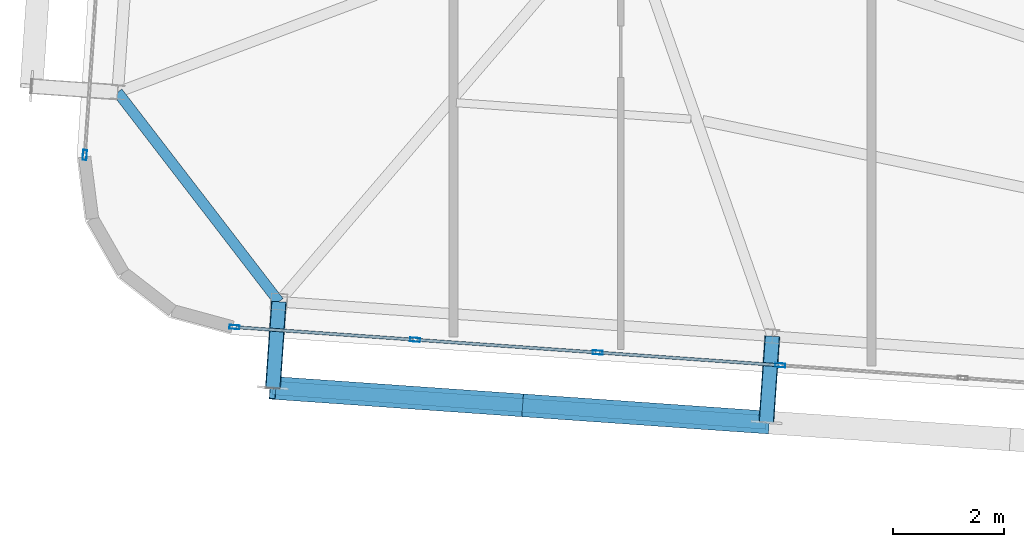
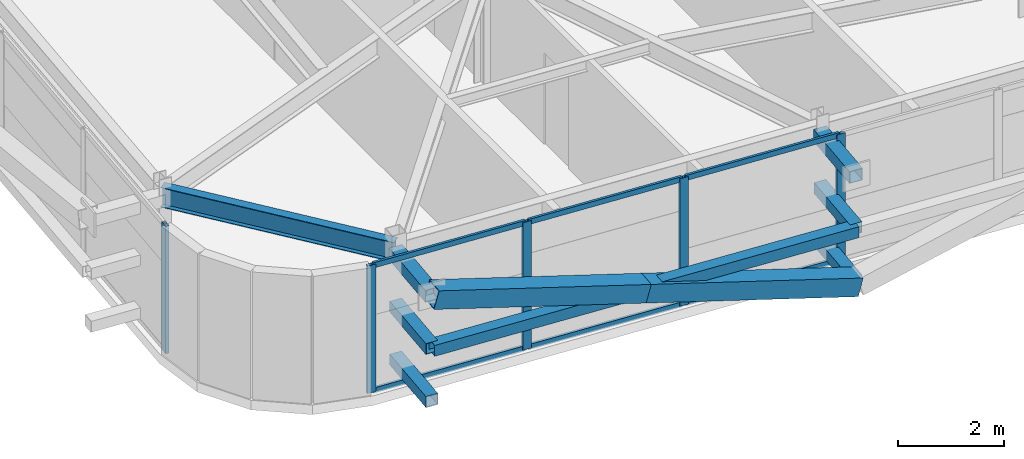
# One storey, part 6 of 47: 20 members, 1 beam, 2 elements without a shape of their own.
"""IFC4 building model written with IfcOpenShell, lengths in metres."""

import ifcopenshell
import ifcopenshell.guid

model = None  # the IFC model being written
_history = None  # IfcOwnerHistory: only IFC2X3 demands one
_inside = {}  # id of a spatial element -> (the spatial element, [elements in it])
_under = {}  # id of a project, library or spatial element -> (it, [spatial elements below it])
_declared = {}  # id of a project -> (the project, [libraries it declares])
_typed = {}  # id of a type object -> (the type object, [elements of that type])
_made_of = {}  # id of a material, layer set ... -> (it, [elements and type objects made of it])


def new_model(schema):
    """Start an empty IFC model of exactly this schema.

    Asked for "IFC4X3", IfcOpenShell would pick the latest addendum, in which some entities
    have other attributes; the version numbers below select the first issue.
    IFC2X3 requires an IfcOwnerHistory on every rooted entity: one is made here for all.
    """
    global model, _history
    if schema == "IFC4X3":
        model = ifcopenshell.file(schema_version=(4, 3, 0, 0))
    else:
        model = ifcopenshell.file(schema=schema)
    _inside.clear()
    _under.clear()
    _declared.clear()
    _typed.clear()
    _made_of.clear()
    _history = None
    if model.schema == "IFC2X3":
        org = make("IfcOrganization", Name="unknown")
        user = make(
            "IfcPersonAndOrganization",
            ThePerson=make("IfcPerson", FamilyName="unknown"),
            TheOrganization=org,
        )
        app = make(
            "IfcApplication",
            ApplicationDeveloper=org,
            Version="unknown",
            ApplicationFullName="unknown",
            ApplicationIdentifier="unknown",
        )
        _history = make(
            "IfcOwnerHistory",
            OwningUser=user,
            OwningApplication=app,
            ChangeAction="ADDED",
            CreationDate=0,
        )
    return model


def make(cls, **values):
    """One entity of the class cls with the attributes given. An attribute that is None is left unset."""
    return model.create_entity(
        cls, **{name: value for name, value in values.items() if value is not None}
    )


def rooted(cls, **values):
    """An entity with a GlobalId (a new one), such as an element, a storey or a relation."""
    return make(cls, GlobalId=ifcopenshell.guid.new(), OwnerHistory=_history, **values)


def si_unit(unit_type, name, prefix=None):
    """IfcSIUnit, for example si_unit("LENGTHUNIT", "METRE", prefix="MILLI")."""
    return make("IfcSIUnit", UnitType=unit_type, Prefix=prefix, Name=name)


def assignment(units):
    """IfcUnitAssignment: the units of a project."""
    return None if units is None else make("IfcUnitAssignment", Units=units)


def point(xyz):
    """IfcCartesianPoint."""
    return None if xyz is None else make("IfcCartesianPoint", Coordinates=xyz)


def direction(xyz):
    """IfcDirection."""
    return None if xyz is None else make("IfcDirection", DirectionRatios=xyz)


def frame(location, z_axis=None, x_axis=None):
    """IfcAxis2Placement3D, a coordinate frame: its origin and axes. An axis left out is left unset."""
    return make(
        "IfcAxis2Placement3D",
        Location=point(location),
        Axis=direction(z_axis),
        RefDirection=direction(x_axis),
    )


def frame_2d(location, x_axis=None):
    """IfcAxis2Placement2D, a coordinate frame in the plane: its origin and x axis."""
    return make(
        "IfcAxis2Placement2D", Location=point(location), RefDirection=direction(x_axis)
    )


def origin():
    """The frame at (0, 0, 0) with its axes left unset."""
    return frame((0.0, 0.0, 0.0))


def origin_2d():
    """The frame at (0, 0) in the plane with its x axis left unset."""
    return frame_2d((0.0, 0.0))


def place(relative_to, where):
    """IfcLocalPlacement: puts the frame where relative to a parent placement (None: the world)."""
    return make(
        "IfcLocalPlacement", PlacementRelTo=relative_to, RelativePlacement=where
    )


def context(
    kind, dimensions, precision=None, world=None, true_north=None, identifier=None
):
    """IfcGeometricRepresentationContext, for example the 3D "Model" context."""
    return make(
        "IfcGeometricRepresentationContext",
        ContextIdentifier=identifier,
        ContextType=kind,
        CoordinateSpaceDimension=dimensions,
        Precision=precision,
        WorldCoordinateSystem=world,
        TrueNorth=true_north,
    )


def subcontext(parent, identifier, kind, view, scale=None):
    """IfcGeometricRepresentationSubContext, for example "Body" below "Model"."""
    return make(
        "IfcGeometricRepresentationSubContext",
        ContextIdentifier=identifier,
        ContextType=kind,
        ParentContext=parent,
        TargetScale=scale,
        TargetView=view,
    )


def project(units=None, contexts=None):
    """IfcProject with its units and contexts."""
    return rooted(
        "IfcProject",
        Name="project",
        RepresentationContexts=contexts,
        UnitsInContext=assignment(units),
    )


def spatial(cls, under=None, at=None, **own):
    """A site, building, storey or space (cls), placed at a placement, below another one or the project."""
    s = rooted(cls, ObjectPlacement=at, **own)
    if under is not None:
        _under.setdefault(under.id(), (under, []))[1].append(s)
    return s


def profile(cls, at=None, kind="AREA", **sizes):
    """A parametric profile (cls). Its sizes go by their IFC names, for example OverallWidth=200.0."""
    return make(cls, ProfileType=kind, Position=at, **sizes)


def hollow_rectangle(**sizes):
    """IfcRectangleHollowProfileDef."""
    return profile("IfcRectangleHollowProfileDef", **sizes)


def i_section(**sizes):
    """IfcIShapeProfileDef."""
    return profile("IfcIShapeProfileDef", **sizes)


def extrude(swept, where, along, depth):
    """IfcExtrudedAreaSolid: the profile swept, set in the frame where, extruded along a direction by depth."""
    return make(
        "IfcExtrudedAreaSolid",
        SweptArea=swept,
        Position=where,
        ExtrudedDirection=direction(along),
        Depth=depth,
    )


def shape(context_of_items, identifier, shape_type, items):
    """IfcShapeRepresentation: the items that make up one representation, for example the "Body"."""
    return make(
        "IfcShapeRepresentation",
        ContextOfItems=context_of_items,
        RepresentationIdentifier=identifier,
        RepresentationType=shape_type,
        Items=items,
    )


def source(mapping_origin, context_of_items, identifier, shape_type, items):
    """IfcRepresentationMap: a shape defined once, which mapped items show again and again."""
    return make(
        "IfcRepresentationMap",
        MappingOrigin=mapping_origin,
        MappedRepresentation=shape(context_of_items, identifier, shape_type, items),
    )


def transform(
    local_origin,
    x_axis=None,
    y_axis=None,
    z_axis=None,
    scale=None,
    scale2=None,
    scale3=None,
    uniform=True,
):
    """IfcCartesianTransformationOperator3D, or its non-uniform kind. x_axis, y_axis, z_axis: its Axis1, 2, 3."""
    if uniform:
        return make(
            "IfcCartesianTransformationOperator3D",
            Axis1=direction(x_axis),
            Axis2=direction(y_axis),
            LocalOrigin=point(local_origin),
            Scale=scale,
            Axis3=direction(z_axis),
        )
    return make(
        "IfcCartesianTransformationOperator3DnonUniform",
        Axis1=direction(x_axis),
        Axis2=direction(y_axis),
        LocalOrigin=point(local_origin),
        Scale=scale,
        Axis3=direction(z_axis),
        Scale2=scale2,
        Scale3=scale3,
    )


def mapped(mapping_source, mapping_target):
    """IfcMappedItem: shows the shape of a source again, moved by a transform."""
    return make(
        "IfcMappedItem", MappingSource=mapping_source, MappingTarget=mapping_target
    )


def material(Name=None, Category=None):
    """IfcMaterial."""
    return make("IfcMaterial", Name=Name, Category=Category)


def layer(
    of_material, thickness, ventilated=None, Name=None, Category=None, Priority=None
):
    """IfcMaterialLayer: one layer of a wall or slab, of a material (None: an air gap)."""
    return make(
        "IfcMaterialLayer",
        Material=of_material,
        LayerThickness=thickness,
        IsVentilated=ventilated,
        Name=Name,
        Category=Category,
        Priority=Priority,
    )


def layer_set(layers, Name=None):
    """IfcMaterialLayerSet."""
    return make("IfcMaterialLayerSet", MaterialLayers=layers, LayerSetName=Name)


def material_profile(
    of_material, cross_section, Name=None, Category=None, Priority=None
):
    """IfcMaterialProfile: a cross section and its material."""
    return make(
        "IfcMaterialProfile",
        Name=Name,
        Material=of_material,
        Profile=cross_section,
        Priority=Priority,
        Category=Category,
    )


def profile_set(profiles, Name=None, composite=None):
    """IfcMaterialProfileSet."""
    return make(
        "IfcMaterialProfileSet",
        Name=Name,
        MaterialProfiles=profiles,
        CompositeProfile=composite,
    )


def made_of(thing, what):
    """Note that an element or type object is made of a material, layer set ...; save() writes the relation."""
    if what is not None:
        _made_of.setdefault(what.id(), (what, []))[1].append(thing)
    return thing


def type_object(cls, material=None, **own):
    """A type object (cls), such as IfcWallType, which elements share."""
    return made_of(rooted(cls, **own), material)


def element(
    cls,
    number,
    at=None,
    inside=None,
    cuts=None,
    type_object=None,
    material=None,
    context=None,
    identifier="Body",
    shape_type=None,
    held_by="IfcProductDefinitionShape",
    body=None,
    shapes=None,
    **own,
):
    """One element of the class cls, such as IfcWall. Its Tag is "e" and its number.

    at: its placement. inside: the storey or other place that contains it. cuts: it is an
    opening in that element (IfcRelVoidsElement). A single representation is given by context,
    identifier, shape_type and body (its items); several are given by shapes. held_by: the class
    of the entity that holds the representations. save() writes the other relations.
    """
    e = rooted(cls, Tag="e%d" % number, ObjectPlacement=at, **own)
    if body is not None:
        shapes = [shape(context, identifier, shape_type, body)]
    if shapes is not None:
        e.Representation = make(held_by, Representations=shapes)
    if inside is not None:
        _inside.setdefault(inside.id(), (inside, []))[1].append(e)
    if cuts is not None:
        rooted(
            "IfcRelVoidsElement", RelatingBuildingElement=cuts, RelatedOpeningElement=e
        )
    if type_object is not None:
        _typed.setdefault(type_object.id(), (type_object, []))[1].append(e)
    return made_of(e, material)


def aggregate(whole, parts):
    """IfcRelAggregates: a whole, such as a stair, and the parts it consists of."""
    return rooted("IfcRelAggregates", RelatingObject=whole, RelatedObjects=parts)


def save(model, path):
    """Write the relations noted so far, then the file.

    IfcRelAggregates (storeys below a building ...), IfcRelContainedInSpatialStructure (elements
    in a storey), IfcRelDefinesByType, IfcRelAssociatesMaterial and IfcRelDeclares: one each for
    every whole, place, type object, material and project.
    """
    for whole, parts in _under.values():
        aggregate(whole, parts)
    for where, things in _inside.values():
        rooted(
            "IfcRelContainedInSpatialStructure",
            RelatedElements=things,
            RelatingStructure=where,
        )
    for kind, things in _typed.values():
        rooted("IfcRelDefinesByType", RelatedObjects=things, RelatingType=kind)
    for what, things in _made_of.values():
        rooted("IfcRelAssociatesMaterial", RelatedObjects=things, RelatingMaterial=what)
    for by, libraries in _declared.values():
        rooted("IfcRelDeclares", RelatingContext=by, RelatedDefinitions=libraries)
    model.write(path)


model = new_model("IFC4")

# Units and contexts
model_context = context("Model", 3, precision=1e-05, world=origin(), true_north=direction((0.0, 1.0)))
body_context = subcontext(model_context, "Body", "Model", "MODEL_VIEW")
ifc_project = project(units=[si_unit("LENGTHUNIT", "METRE"), si_unit("AREAUNIT", "SQUARE_METRE"), si_unit("VOLUMEUNIT", "CUBIC_METRE"), si_unit("PLANEANGLEUNIT", "RADIAN"), si_unit("MASSUNIT", "GRAM", prefix="KILO")], contexts=[model_context])

# Site, building, storey
site_placement = place(None, origin())
site = spatial("IfcSite", under=ifc_project, at=site_placement, CompositionType="ELEMENT")
building_placement = place(site_placement, origin())
building = spatial("IfcBuilding", under=site, at=building_placement, Name="Taldren Reach Tower", CompositionType="ELEMENT")
storey_placement = place(building_placement, frame((0.0, 0.0, 142.449951171875)))
storey = spatial("IfcBuildingStorey", under=building, at=storey_placement, Name="L43", CompositionType="ELEMENT", Elevation=142.449951171875)

# Members
ifc_material_1 = material(Name="Steel Gr 450 (C450L0)", Category="steel")
ifc_material_profile_1 = material_profile(ifc_material_1, hollow_rectangle(XDim=0.27490234375, YDim=0.27490234375, WallThickness=0.00927734375, at=origin_2d()), Name="275x275x9.3SHS")
ifc_profile_set_1 = profile_set([ifc_material_profile_1], Name="Steel Gr 450 (C450L0)")
member_type_1 = type_object("IfcMemberType", Name="MB-TIE273", PredefinedType="STRUT", material=ifc_profile_set_1)
shared_shape_1 = source(origin(), body_context, "Body", "SweptSolid", [
    extrude(hollow_rectangle(XDim=0.27490234375, YDim=0.27490234375, WallThickness=0.00927734375, at=origin_2d()), origin(), (0.0, 0.0, 1.0), 1.5498046875),
])
for number, where, z_axis, x_axis, name in (
    (1, (11.863525390625, 5.33837890625, 2.650146484375), (-0.069780535098, -0.997562367434, 0.0), (0.997562367434, -0.069780535098, 0.0), "Exoskeleton diaphragm tie strut B3-S1 L43"),
    (2, (20.721923828125, 4.718994140625, 2.650146484375), (-0.069780535098, -0.997562367434, 0.0), (0.997562367434, -0.069780535098, 0.0), "Exoskeleton diaphragm tie strut B3-S2 L43"),
):
    element("IfcMember", number, at=place(storey_placement, frame(where, z_axis=z_axis, x_axis=x_axis)), inside=storey, type_object=member_type_1, Name=name, PredefinedType="STRUT", context=body_context, shape_type="MappedRepresentation", body=[
        mapped(shared_shape_1, transform((0.0, 0.0, 0.0), scale=1.0)),
    ])
ifc_material_2 = material(Name="Steel Gr 350 (C350L0)", Category="steel")
ifc_material_profile_2 = material_profile(ifc_material_2, hollow_rectangle(XDim=0.25, YDim=0.25, WallThickness=0.010009765625, at=origin_2d()), Name="250x250x10.0SHS")
ifc_profile_set_2 = profile_set([ifc_material_profile_2], Name="Steel Gr 350 (C350L0)")
member_type_2 = type_object("IfcMemberType", Name="MB-POST250", PredefinedType="POST", material=ifc_profile_set_2)
shared_shape_2 = source(origin(), body_context, "Body", "SweptSolid", [
    extrude(hollow_rectangle(XDim=0.25, YDim=0.25, WallThickness=0.010009765625, at=origin_2d()), origin(), (0.0, 0.0, 1.0), 1.5498046875),
])
for number, where, z_axis, x_axis, name in (
    (3, (11.863525390625, 5.33837890625, 0.219970703125), (-0.069780535098, -0.997562367434, 0.0), (0.997562367434, -0.069780535098, 0.0), "Exoskeleton base diaphragm tie strut B3-S1 L43"),
    (4, (20.721923828125, 4.718994140625, 0.219970703125), (-0.069780535098, -0.997562367434, 0.0), (0.997562367434, -0.069780535098, 0.0), "Exoskeleton base diaphragm tie strut B3-S2 L43"),
    (5, (11.863525390625, 5.33837890625, 1.43505859375), (-0.069780535098, -0.997562367434, 0.0), (0.997562367434, -0.069780535098, 0.0), "Exoskeleton mid-tier diaphragm tie B3-S1 L43"),
    (6, (20.721923828125, 4.718994140625, 1.43505859375), (-0.069780535098, -0.997562367434, 0.0), (0.997562367434, -0.069780535098, 0.0), "Exoskeleton mid-tier diaphragm tie B3-S2 L43"),
):
    element("IfcMember", number, at=place(storey_placement, frame(where, z_axis=z_axis, x_axis=x_axis)), inside=storey, type_object=member_type_2, Name=name, PredefinedType="POST", context=body_context, shape_type="MappedRepresentation", body=[
        mapped(shared_shape_2, transform((0.0, 0.0, 0.0), scale=1.0)),
    ])

# Beam
ifc_material_3 = material(Name="Steel Gr 350 (350PLUS)", Category="steel")
ifc_material_profile_3 = material_profile(ifc_material_3, i_section(OverallWidth=0.18994140625, OverallDepth=0.4541015625, WebThickness=0.008544921875, FlangeThickness=0.0126953125, at=origin_2d()), Name="460UB67.1")
ifc_profile_set_3 = profile_set([ifc_material_profile_3], Name="Steel Gr 350 (350PLUS)")
beam_type = type_object("IfcBeamType", Name="SP-UB460B", PredefinedType="SPANDREL", material=ifc_profile_set_3)
shared_shape_3 = source(origin(), body_context, "Body", "SweptSolid", [
    extrude(i_section(OverallWidth=0.18994140625, OverallDepth=0.4541015625, WebThickness=0.008544921875, FlangeThickness=0.0126953125, at=origin_2d()), origin(), (0.0, 0.0, 1.0), 4.746337890625),
])
beam_placement = place(storey_placement, frame((8.96875, 9.099609375, 2.703125), z_axis=(0.609912099004, -0.792469072891, 0.0), x_axis=(0.792469072891, 0.609912099004, 0.0)))
element("IfcBeam", 7, at=beam_placement, inside=storey, type_object=beam_type, Name="Perimeter spandrel B3 W1-S1 L43", PredefinedType="SPANDREL", context=body_context, shape_type="MappedRepresentation", body=[
    mapped(shared_shape_3, transform((0.0, 0.0, 0.0), scale=1.0)),
])

# Members
shared_shape_4 = source(origin(), body_context, "Body", "SweptSolid", [
    extrude(hollow_rectangle(XDim=0.25, YDim=0.25, WallThickness=0.010009765625, at=origin_2d()), origin(), (0.0, 0.0, 1.0), 8.880126953125),
])
member_1_placement = place(storey_placement, frame((11.75537109375, 3.792236328125, 1.43505859375), z_axis=(0.997564479639, -0.069750333063, 0.0), x_axis=(0.069750333063, 0.997564479639, 0.0)))
element("IfcMember", 8, at=member_1_placement, inside=storey, type_object=member_type_2, Name="Exoskeleton mid-height ring chord B3-S1 L43", PredefinedType="POST", context=body_context, shape_type="MappedRepresentation", body=[
    mapped(shared_shape_4, transform((0.0, 0.0, 0.0), scale=1.0)),
])
ifc_material_profile_4 = material_profile(ifc_material_1, hollow_rectangle(XDim=0.409912109375, YDim=0.409912109375, WallThickness=0.01611328125, at=origin_2d()), Name="410x410x16.0SHS")
ifc_profile_set_4 = profile_set([ifc_material_profile_4], Name="Steel Gr 450 (C450L0)")
member_type_3 = type_object("IfcMemberType", Name="MB-EXO406", PredefinedType="BRACE", material=ifc_profile_set_4)
shared_shape_5 = source(origin(), body_context, "Body", "SweptSolid", [
    extrude(hollow_rectangle(XDim=0.409912109375, YDim=0.409912109375, WallThickness=0.01611328125, at=origin_2d()), origin(), (0.0, 0.0, 1.0), 4.603271484375),
])
for number, where, z_axis, x_axis, name in (
    (9, (20.61376953125, 3.1728515625, 0.219970703125), (-0.962185784239, 0.067250114343, 0.263962002434), (-0.069722973508, -0.997566392259, 0.0), "Exoskeleton Diagrid Brace B3-S1 L43"),
    (10, (16.1845703125, 3.482421875, 1.43505859375), (-0.962182351074, 0.067302910567, 0.263961060594), (-0.06977769246, -0.997562566276, 0.0), "Exoskeleton Diagrid Brace B3-S1 L43"),
):
    element("IfcMember", number, at=place(storey_placement, frame(where, z_axis=z_axis, x_axis=x_axis)), inside=storey, type_object=member_type_3, Name=name, PredefinedType="BRACE", context=body_context, shape_type="MappedRepresentation", body=[
        mapped(shared_shape_5, transform((0.0, 0.0, 0.0), scale=1.0)),
    ])

# Curtain wall, members
ifc_material_4 = material(Name="Aluminium and Low-E Glass Unitised System", Category="aluminium")
ifc_layer = layer(ifc_material_4, 0.159912109375)
ifc_layer_set = layer_set([ifc_layer], Name="Aluminium and Low-E Glass Unitised System")
curtain_wall_type = type_object("IfcCurtainWallType", Name="CW-SYS-4", PredefinedType="NOTDEFINED", material=ifc_layer_set)
curtain_wall_1_placement = place(storey_placement, origin())
curtain_wall_1 = element("IfcCurtainWall", 11, at=curtain_wall_1_placement, inside=storey, type_object=curtain_wall_type, Name="Unitised curtain wall CW-L43-S", PredefinedType="NOTDEFINED")
ifc_material_5 = material(Name="Anodised Aluminium 6063-T6", Category="aluminium")
ifc_material_profile_5 = material_profile(ifc_material_5, hollow_rectangle(XDim=0.070068359375, YDim=0.179931640625, WallThickness=0.00390625, at=origin_2d()), Name="ALU-180x70x4RHS")
ifc_profile_set_5 = profile_set([ifc_material_profile_5], Name="Anodised Aluminium 6063-T6")
member_type_4 = type_object("IfcMemberType", Name="CW-MUL-180", PredefinedType="MULLION", material=ifc_profile_set_5)
shared_shape_6 = source(origin(), body_context, "Body", "SweptSolid", [
    extrude(hollow_rectangle(XDim=0.070068359375, YDim=0.179931640625, WallThickness=0.00390625, at=origin_2d()), origin(), (0.0, 0.0, 1.0), 2.929931640625),
])
member_2_placement = place(storey_placement, frame((11.06494140625, 4.883056640625, 0.0), z_axis=(0.0, 0.0, 1.0), x_axis=(0.06975651593, 0.99756404731, 0.0)))
member_2 = element("IfcMember", 12, at=member_2_placement, type_object=member_type_4, Name="CW-4 mullion 1", PredefinedType="MULLION", context=body_context, shape_type="MappedRepresentation", body=[
    mapped(shared_shape_6, transform((0.0, 0.0, 0.0), scale=1.0)),
])
member_3_placement = place(storey_placement, frame((14.3076171875, 4.65625, 0.0), z_axis=(0.0, 0.0, 1.0), x_axis=(0.06975651593, 0.99756404731, 0.0)))
member_3 = element("IfcMember", 13, at=member_3_placement, type_object=member_type_4, Name="CW-4 mullion 2", PredefinedType="MULLION", context=body_context, shape_type="MappedRepresentation", body=[
    mapped(shared_shape_6, transform((0.0, 0.0, 0.0), scale=1.0)),
])
member_4_placement = place(storey_placement, frame((17.58544921875, 4.427001953125, 0.0), z_axis=(0.0, 0.0, 1.0), x_axis=(0.06975651593, 0.99756404731, 0.0)))
member_4 = element("IfcMember", 14, at=member_4_placement, type_object=member_type_4, Name="CW-4 mullion 3", PredefinedType="MULLION", context=body_context, shape_type="MappedRepresentation", body=[
    mapped(shared_shape_6, transform((0.0, 0.0, 0.0), scale=1.0)),
])
member_5_placement = place(storey_placement, frame((20.863037109375, 4.19775390625, 0.0), z_axis=(0.0, 0.0, 1.0), x_axis=(0.06975651593, 0.99756404731, 0.0)))
member_5 = element("IfcMember", 15, at=member_5_placement, type_object=member_type_4, Name="CW-4 mullion 4", PredefinedType="MULLION", context=body_context, shape_type="MappedRepresentation", body=[
    mapped(shared_shape_6, transform((0.0, 0.0, 0.0), scale=1.0)),
])

# Curtain wall, member
curtain_wall_2_placement = place(storey_placement, origin())
curtain_wall_2 = element("IfcCurtainWall", 16, at=curtain_wall_2_placement, inside=storey, type_object=curtain_wall_type, Name="Unitised curtain wall CW-L43-W", PredefinedType="NOTDEFINED")
member_6_placement = place(storey_placement, frame((8.37890625, 7.972900390625, 0.0), z_axis=(0.0, 0.0, 1.0), x_axis=(0.997564052812, -0.069756437251, 0.0)))
member_6 = element("IfcMember", 17, at=member_6_placement, type_object=member_type_4, Name="CW-4 mullion 9", PredefinedType="MULLION", context=body_context, shape_type="MappedRepresentation", body=[
    mapped(shared_shape_6, transform((0.0, 0.0, 0.0), scale=1.0)),
])
aggregate(curtain_wall_2, [member_6])

# Member
ifc_material_profile_6 = material_profile(ifc_material_5, hollow_rectangle(XDim=0.054931640625, YDim=0.1201171875, WallThickness=0.0029296875, at=origin_2d()), Name="ALU-120x55x3RHS")
ifc_profile_set_6 = profile_set([ifc_material_profile_6], Name="Anodised Aluminium 6063-T6")
member_type_5 = type_object("IfcMemberType", Name="CW-TRN-135", PredefinedType="USERDEFINED", material=ifc_profile_set_6)
shared_shape_7 = source(origin(), body_context, "Body", "SweptSolid", [
    extrude(hollow_rectangle(XDim=0.054931640625, YDim=0.1201171875, WallThickness=0.0029296875, at=origin_2d()), origin(), (0.0, 0.0, 1.0), 3.1806640625),
])
member_7_placement = place(storey_placement, frame((11.099853515625, 4.880615234375, 0.027587890625), z_axis=(0.997562815426, -0.069774130442, 0.0), x_axis=(0.069774130442, 0.997562815426, 0.0)))
member_7 = element("IfcMember", 18, at=member_7_placement, type_object=member_type_5, Name="CW-4 transom 1.1", ObjectType="TRANSOM", PredefinedType="USERDEFINED", context=body_context, shape_type="MappedRepresentation", body=[
    mapped(shared_shape_7, transform((0.0, 0.0, 0.0), scale=1.0)),
])

member_8_placement = place(storey_placement, frame((11.099853515625, 4.880615234375, 2.902587890625), z_axis=(0.997562815426, -0.069774130442, 0.0), x_axis=(0.069774130442, 0.997562815426, 0.0)))
member_8 = element("IfcMember", 19, at=member_8_placement, type_object=member_type_5, Name="CW-4 transom 1.2", ObjectType="TRANSOM", PredefinedType="USERDEFINED", context=body_context, shape_type="MappedRepresentation", body=[
    mapped(shared_shape_7, transform((0.0, 0.0, 0.0), scale=1.0)),
])

shared_shape_8 = source(origin(), body_context, "Body", "SweptSolid", [
    extrude(hollow_rectangle(XDim=0.054931640625, YDim=0.1201171875, WallThickness=0.0029296875, at=origin_2d()), origin(), (0.0, 0.0, 1.0), 3.2158203125),
])
member_9_placement = place(storey_placement, frame((14.342529296875, 4.65380859375, 0.027587890625), z_axis=(0.997563195991, -0.069768689278, 0.0), x_axis=(0.069768689278, 0.997563195991, 0.0)))
member_9 = element("IfcMember", 20, at=member_9_placement, type_object=member_type_5, Name="CW-4 transom 2.1", ObjectType="TRANSOM", PredefinedType="USERDEFINED", context=body_context, shape_type="MappedRepresentation", body=[
    mapped(shared_shape_8, transform((0.0, 0.0, 0.0), scale=1.0)),
])

member_10_placement = place(storey_placement, frame((14.342529296875, 4.65380859375, 2.902587890625), z_axis=(0.997563195991, -0.069768689278, 0.0), x_axis=(0.069768689278, 0.997563195991, 0.0)))
member_10 = element("IfcMember", 21, at=member_10_placement, type_object=member_type_5, Name="CW-4 transom 2.2", ObjectType="TRANSOM", PredefinedType="USERDEFINED", context=body_context, shape_type="MappedRepresentation", body=[
    mapped(shared_shape_8, transform((0.0, 0.0, 0.0), scale=1.0)),
])

shared_shape_9 = source(origin(), body_context, "Body", "SweptSolid", [
    extrude(hollow_rectangle(XDim=0.054931640625, YDim=0.1201171875, WallThickness=0.0029296875, at=origin_2d()), origin(), (0.0, 0.0, 1.0), 3.215576171875),
])
member_11_placement = place(storey_placement, frame((17.620361328125, 4.424560546875, 0.027587890625), z_axis=(0.997562826405, -0.069773973473, 0.0), x_axis=(0.069773973473, 0.997562826405, 0.0)))
member_11 = element("IfcMember", 22, at=member_11_placement, type_object=member_type_5, Name="CW-4 transom 3.1", ObjectType="TRANSOM", PredefinedType="USERDEFINED", context=body_context, shape_type="MappedRepresentation", body=[
    mapped(shared_shape_9, transform((0.0, 0.0, 0.0), scale=1.0)),
])

member_12_placement = place(storey_placement, frame((17.620361328125, 4.424560546875, 2.902587890625), z_axis=(0.997562826405, -0.069773973473, 0.0), x_axis=(0.069773973473, 0.997562826405, 0.0)))
member_12 = element("IfcMember", 23, at=member_12_placement, type_object=member_type_5, Name="CW-4 transom 3.2", ObjectType="TRANSOM", PredefinedType="USERDEFINED", context=body_context, shape_type="MappedRepresentation", body=[
    mapped(shared_shape_9, transform((0.0, 0.0, 0.0), scale=1.0)),
])

aggregate(curtain_wall_1, [member_2, member_3, member_4, member_5, member_7, member_8, member_9, member_10, member_11, member_12])

save(model, "model.ifc")
